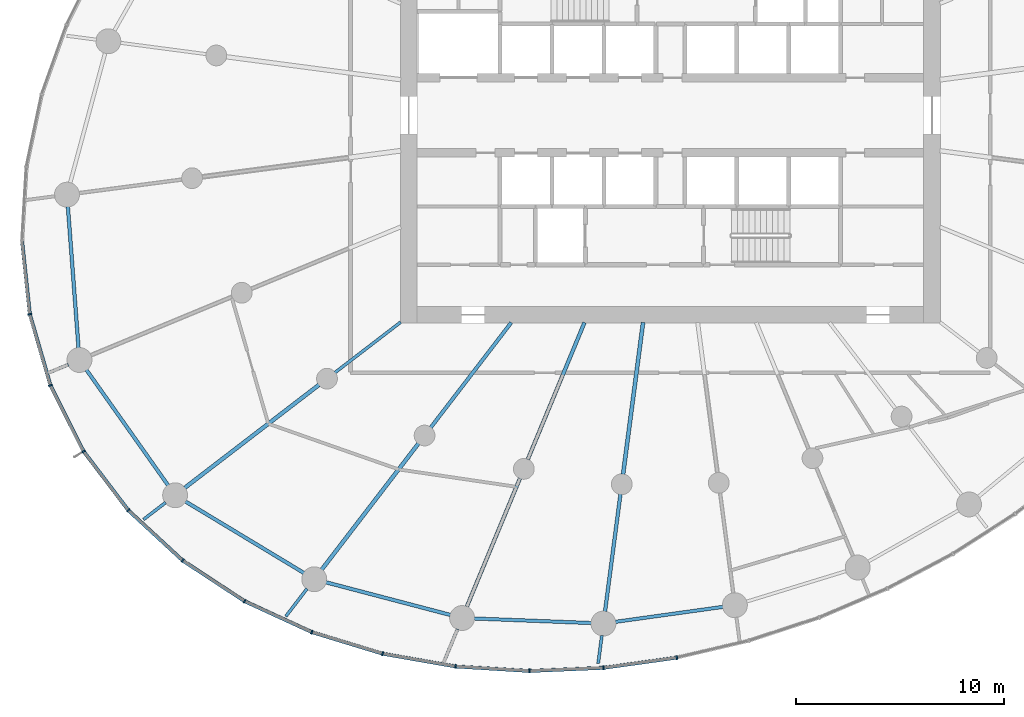
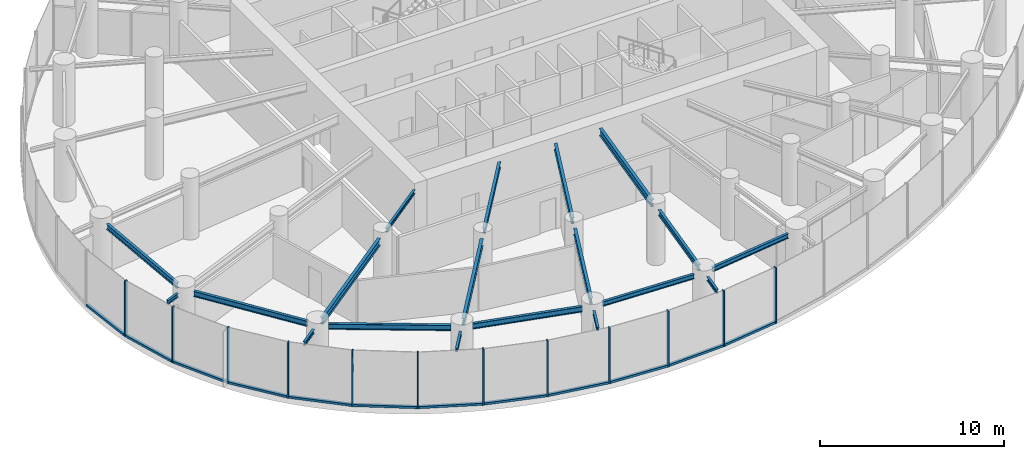
# One storey, part 2 of 17: 24 members, 19 beams, 3 elements without a shape of their own.
"""IFC4 building model written with IfcOpenShell, lengths in metres."""

from ifc_helpers import new_model, si_unit, direction, frame, origin, origin_2d, place, context, subcontext, project, spatial, rectangle, i_section, extrude, source, transform, mapped, material, layer, layer_set, material_profile, profile_set, type_object, element, aggregate, save


model = new_model("IFC4")

# Units and contexts
model_context = context("Model", 3, precision=1e-05, world=origin(), true_north=direction((0.0, 1.0)))
body_context = subcontext(model_context, "Body", "Model", "MODEL_VIEW")
ifc_project = project(units=[si_unit("LENGTHUNIT", "METRE"), si_unit("AREAUNIT", "SQUARE_METRE"), si_unit("VOLUMEUNIT", "CUBIC_METRE"), si_unit("PLANEANGLEUNIT", "RADIAN"), si_unit("MASSUNIT", "GRAM", prefix="KILO")], contexts=[model_context])

# Site, building, storey
site_placement = place(None, origin())
site = spatial("IfcSite", under=ifc_project, at=site_placement, CompositionType="ELEMENT")
building_placement = place(site_placement, origin())
building = spatial("IfcBuilding", under=site, at=building_placement, Name="Spindrift Exchange Tower", CompositionType="ELEMENT")
storey_placement = place(building_placement, frame((0.0, 0.0, 100.300048828125)))
storey = spatial("IfcBuildingStorey", under=building, at=storey_placement, Name="L23", CompositionType="ELEMENT", Elevation=100.300048828125)

# Beams
ifc_material_1 = material(Name="Steel Grade 300", Category="steel")
ifc_material_profile_1 = material_profile(ifc_material_1, i_section(OverallWidth=0.14599609375, OverallDepth=0.251953125, WebThickness=0.006103515625, FlangeThickness=0.008544921875, FilletRadius=0.011962890625, at=origin_2d()), Name="250UB31.4")
ifc_profile_set_1 = profile_set([ifc_material_profile_1], Name="Steel Grade 300")
beam_type_1 = type_object("IfcBeamType", Name="Floor Beam 250UB31.4 Steel Grade 300", PredefinedType="BEAM", material=ifc_profile_set_1)
shared_shape_1 = source(origin(), body_context, "Body", "SweptSolid", [
    extrude(i_section(OverallWidth=0.14599609375, OverallDepth=0.251953125, WebThickness=0.006103515625, FlangeThickness=0.008544921875, FilletRadius=0.011962890625, at=origin_2d()), origin(), (0.0, 0.0, 1.0), 3.99560546875),
])
beam_1_placement = place(storey_placement, frame((39.015869140625, 38.036865234375, 3.573974609375), z_axis=(-0.793352561574, -0.608762443851, 0.0), x_axis=(0.608762443851, -0.793352561574, 0.0)))
element("IfcBeam", 1, at=beam_1_placement, inside=storey, type_object=beam_type_1, Name="L23 radial beam R15A", PredefinedType="BEAM", context=body_context, shape_type="MappedRepresentation", body=[
    mapped(shared_shape_1, transform((0.0, 0.0, 0.0), scale=1.0)),
])
ifc_material_profile_2 = material_profile(ifc_material_1, i_section(OverallWidth=0.172119140625, OverallDepth=0.35888671875, WebThickness=0.008056640625, FlangeThickness=0.012939453125, FilletRadius=0.013916015625, at=origin_2d()), Name="360UB56.7")
ifc_profile_set_2 = profile_set([ifc_material_profile_2], Name="Steel Grade 300")
beam_type_2 = type_object("IfcBeamType", Name="Floor Beam 360UB56.7 Steel Grade 300", PredefinedType="BEAM", material=ifc_profile_set_2)
shared_shape_2 = source(origin(), body_context, "Body", "SweptSolid", [
    extrude(i_section(OverallWidth=0.172119140625, OverallDepth=0.35888671875, WebThickness=0.008056640625, FlangeThickness=0.012939453125, FilletRadius=0.013916015625, at=origin_2d()), origin(), (0.0, 0.0, 1.0), 6.37646484375),
])
beam_2_placement = place(storey_placement, frame((44.3388671875, 38.015869140625, 3.5205078125), z_axis=(-0.608766669952, -0.793349318747, 0.0), x_axis=(0.793349318747, -0.608766669952, 0.0)))
element("IfcBeam", 2, at=beam_2_placement, inside=storey, type_object=beam_type_2, Name="L23 radial beam R16A", PredefinedType="BEAM", context=body_context, shape_type="MappedRepresentation", body=[
    mapped(shared_shape_2, transform((0.0, 0.0, 0.0), scale=1.0)),
])
ifc_material_profile_3 = material_profile(ifc_material_1, i_section(OverallWidth=0.177978515625, OverallDepth=0.406005859375, WebThickness=0.0078125, FlangeThickness=0.0126953125, FilletRadius=0.013916015625, at=origin_2d()), Name="410UB59.7")
ifc_profile_set_3 = profile_set([ifc_material_profile_3], Name="Steel Grade 300")
beam_type_3 = type_object("IfcBeamType", Name="Floor Beam 410UB59.7 Steel Grade 300", PredefinedType="BEAM", material=ifc_profile_set_3)
shared_shape_3 = source(origin(), body_context, "Body", "SweptSolid", [
    extrude(i_section(OverallWidth=0.177978515625, OverallDepth=0.406005859375, WebThickness=0.0078125, FlangeThickness=0.0126953125, FilletRadius=0.013916015625, at=origin_2d()), origin(), (0.0, 0.0, 1.0), 7.150634765625),
])
beam_3_placement = place(storey_placement, frame((47.865478515625, 38.0185546875, 3.4970703125), z_axis=(-0.382665393358, -0.923887004306, 0.0), x_axis=(0.923887004306, -0.382665393358, 0.0)))
element("IfcBeam", 3, at=beam_3_placement, inside=storey, type_object=beam_type_3, Name="L23 radial beam R17A", PredefinedType="BEAM", context=body_context, shape_type="MappedRepresentation", body=[
    mapped(shared_shape_3, transform((0.0, 0.0, 0.0), scale=1.0)),
])
ifc_material_profile_4 = material_profile(ifc_material_1, i_section(OverallWidth=0.18994140625, OverallDepth=0.45703125, WebThickness=0.009033203125, FlangeThickness=0.014404296875, FilletRadius=0.013916015625, at=origin_2d()), Name="460UB74.6")
ifc_profile_set_4 = profile_set([ifc_material_profile_4], Name="Steel Grade 300")
beam_type_4 = type_object("IfcBeamType", Name="Floor Beam 460UB74.6 Steel Grade 300", PredefinedType="BEAM", material=ifc_profile_set_4)
shared_shape_4 = source(origin(), body_context, "Body", "SweptSolid", [
    extrude(i_section(OverallWidth=0.18994140625, OverallDepth=0.45703125, WebThickness=0.009033203125, FlangeThickness=0.014404296875, FilletRadius=0.013916015625, at=origin_2d()), origin(), (0.0, 0.0, 1.0), 7.374267578125),
])
beam_4_placement = place(storey_placement, frame((50.68603515625, 38.019775390625, 3.471435546875), z_axis=(-0.130539295622, -0.99144313619, 0.0), x_axis=(0.99144313619, -0.130539295622, 0.0)))
element("IfcBeam", 4, at=beam_4_placement, inside=storey, type_object=beam_type_4, Name="L23 radial beam R18A", PredefinedType="BEAM", context=body_context, shape_type="MappedRepresentation", body=[
    mapped(shared_shape_4, transform((0.0, 0.0, 0.0), scale=1.0)),
])
shared_shape_5 = source(origin(), body_context, "Body", "SweptSolid", [
    extrude(i_section(OverallWidth=0.18994140625, OverallDepth=0.45703125, WebThickness=0.009033203125, FlangeThickness=0.014404296875, FilletRadius=0.013916015625, at=origin_2d()), origin(), (0.0, 0.0, 1.0), 8.158447265625),
])
beam_5_placement = place(storey_placement, frame((35.08447265625, 35.020263671875, 3.471435546875), z_axis=(-0.793358732539, -0.608754401631, 0.0), x_axis=(0.608754401631, -0.793358732539, 0.0)))
element("IfcBeam", 5, at=beam_5_placement, inside=storey, type_object=beam_type_4, Name="L23 radial beam R15B", PredefinedType="BEAM", context=body_context, shape_type="MappedRepresentation", body=[
    mapped(shared_shape_5, transform((0.0, 0.0, 0.0), scale=1.0)),
])
shared_shape_6 = source(origin(), body_context, "Body", "SweptSolid", [
    extrude(i_section(OverallWidth=0.18994140625, OverallDepth=0.45703125, WebThickness=0.009033203125, FlangeThickness=0.014404296875, FilletRadius=0.013916015625, at=origin_2d()), origin(), (0.0, 0.0, 1.0), 7.663818359375),
])
beam_6_placement = place(storey_placement, frame((39.872802734375, 32.1953125, 3.471435546875), z_axis=(-0.608771227503, -0.793345821546, 0.0), x_axis=(0.793345821546, -0.608771227503, 0.0)))
element("IfcBeam", 6, at=beam_6_placement, inside=storey, type_object=beam_type_4, Name="L23 radial beam R16B", PredefinedType="BEAM", context=body_context, shape_type="MappedRepresentation", body=[
    mapped(shared_shape_6, transform((0.0, 0.0, 0.0), scale=1.0)),
])
shared_shape_7 = source(origin(), body_context, "Body", "SweptSolid", [
    extrude(i_section(OverallWidth=0.177978515625, OverallDepth=0.406005859375, WebThickness=0.0078125, FlangeThickness=0.0126953125, FilletRadius=0.013916015625, at=origin_2d()), origin(), (0.0, 0.0, 1.0), 6.71240234375),
])
beam_7_placement = place(storey_placement, frame((44.76171875, 30.525146484375, 3.4970703125), z_axis=(-0.382669812754, -0.923885173821, 0.0), x_axis=(0.923885173821, -0.382669812754, 0.0)))
element("IfcBeam", 7, at=beam_7_placement, inside=storey, type_object=beam_type_3, Name="L23 radial beam R17B", PredefinedType="BEAM", context=body_context, shape_type="MappedRepresentation", body=[
    mapped(shared_shape_7, transform((0.0, 0.0, 0.0), scale=1.0)),
])
shared_shape_8 = source(origin(), body_context, "Body", "SweptSolid", [
    extrude(i_section(OverallWidth=0.172119140625, OverallDepth=0.35888671875, WebThickness=0.008056640625, FlangeThickness=0.012939453125, FilletRadius=0.013916015625, at=origin_2d()), origin(), (0.0, 0.0, 1.0), 5.70751953125),
])
beam_8_placement = place(storey_placement, frame((49.59814453125, 29.7568359375, 3.5205078125), z_axis=(-0.130507624881, -0.991447305634, 0.0), x_axis=(0.991447305634, -0.130507624881, 0.0)))
element("IfcBeam", 8, at=beam_8_placement, inside=storey, type_object=beam_type_2, Name="L23 radial beam R18B", PredefinedType="BEAM", context=body_context, shape_type="MappedRepresentation", body=[
    mapped(shared_shape_8, transform((0.0, 0.0, 0.0), scale=1.0)),
])
ifc_material_profile_5 = material_profile(ifc_material_1, i_section(OverallWidth=0.172119140625, OverallDepth=0.35888671875, WebThickness=0.008056640625, FlangeThickness=0.012939453125, FilletRadius=0.013916015625, at=origin_2d()), Name="360UB56.7")
ifc_profile_set_5 = profile_set([ifc_material_profile_5], Name="Steel Grade 300")
beam_type_5 = type_object("IfcBeamType", Name="Edge Beam 360UB56.7 Steel Grade 300", PredefinedType="SPANDREL", material=ifc_profile_set_5)
shared_shape_9 = source(origin(), body_context, "Body", "SweptSolid", [
    extrude(i_section(OverallWidth=0.172119140625, OverallDepth=0.35888671875, WebThickness=0.008056640625, FlangeThickness=0.012939453125, FilletRadius=0.013916015625, at=origin_2d()), origin(), (0.0, 0.0, 1.0), 6.82373046875),
])
beam_9_placement = place(storey_placement, frame((22.9873046875, 43.59619140625, 3.5205078125), z_axis=(0.075276463877, -0.997162701863, 0.0), x_axis=(0.997162701863, 0.075276463877, 0.0)))
element("IfcBeam", 9, at=beam_9_placement, inside=storey, type_object=beam_type_5, Name="L23 edge beam E13", PredefinedType="SPANDREL", context=body_context, shape_type="MappedRepresentation", body=[
    mapped(shared_shape_9, transform((0.0, 0.0, 0.0), scale=1.0)),
])
shared_shape_10 = source(origin(), body_context, "Body", "SweptSolid", [
    extrude(i_section(OverallWidth=0.172119140625, OverallDepth=0.35888671875, WebThickness=0.008056640625, FlangeThickness=0.012939453125, FilletRadius=0.013916015625, at=origin_2d()), origin(), (0.0, 0.0, 1.0), 6.81787109375),
])
beam_10_placement = place(storey_placement, frame((23.87939453125, 35.739990234375, 3.5205078125), z_axis=(0.577526426198, -0.816371990604, 0.0), x_axis=(0.816371990604, 0.577526426198, 0.0)))
element("IfcBeam", 10, at=beam_10_placement, inside=storey, type_object=beam_type_5, Name="L23 edge beam E14", PredefinedType="SPANDREL", context=body_context, shape_type="MappedRepresentation", body=[
    mapped(shared_shape_10, transform((0.0, 0.0, 0.0), scale=1.0)),
])
shared_shape_11 = source(origin(), body_context, "Body", "SweptSolid", [
    extrude(i_section(OverallWidth=0.172119140625, OverallDepth=0.35888671875, WebThickness=0.008056640625, FlangeThickness=0.012939453125, FilletRadius=0.013916015625, at=origin_2d()), origin(), (0.0, 0.0, 1.0), 6.668701171875),
])
beam_11_placement = place(storey_placement, frame((28.6484375, 29.40087890625, 3.5205078125), z_axis=(0.856133207479, -0.516755194508, 0.0), x_axis=(0.516755194508, 0.856133207479, 0.0)))
element("IfcBeam", 11, at=beam_11_placement, inside=storey, type_object=beam_type_5, Name="L23 edge beam E15", PredefinedType="SPANDREL", context=body_context, shape_type="MappedRepresentation", body=[
    mapped(shared_shape_11, transform((0.0, 0.0, 0.0), scale=1.0)),
])
shared_shape_12 = source(origin(), body_context, "Body", "SweptSolid", [
    extrude(i_section(OverallWidth=0.172119140625, OverallDepth=0.35888671875, WebThickness=0.008056640625, FlangeThickness=0.012939453125, FilletRadius=0.013916015625, at=origin_2d()), origin(), (0.0, 0.0, 1.0), 6.197509765625),
])
beam_12_placement = place(storey_placement, frame((35.415283203125, 25.508056640625, 3.5205078125), z_axis=(0.967254420813, -0.253808757567, 0.0), x_axis=(0.253808757567, 0.967254420813, 0.0)))
element("IfcBeam", 12, at=beam_12_placement, inside=storey, type_object=beam_type_5, Name="L23 edge beam E16", PredefinedType="SPANDREL", context=body_context, shape_type="MappedRepresentation", body=[
    mapped(shared_shape_12, transform((0.0, 0.0, 0.0), scale=1.0)),
])
ifc_material_profile_6 = material_profile(ifc_material_1, i_section(OverallWidth=0.1650390625, OverallDepth=0.303955078125, WebThickness=0.006103515625, FlangeThickness=0.01025390625, FilletRadius=0.011474609375, at=origin_2d()), Name="310UB40.4")
ifc_profile_set_6 = profile_set([ifc_material_profile_6], Name="Steel Grade 300")
beam_type_6 = type_object("IfcBeamType", Name="Edge Beam 310UB40.4 Steel Grade 300", PredefinedType="SPANDREL", material=ifc_profile_set_6)
shared_shape_13 = source(origin(), body_context, "Body", "SweptSolid", [
    extrude(i_section(OverallWidth=0.1650390625, OverallDepth=0.303955078125, WebThickness=0.006103515625, FlangeThickness=0.01025390625, FilletRadius=0.011474609375, at=origin_2d()), origin(), (0.0, 0.0, 1.0), 5.65185546875),
])
beam_13_placement = place(storey_placement, frame((42.550537109375, 23.765380859375, 3.5478515625), z_axis=(0.99924397539, -0.038877726865, 0.0), x_axis=(0.038877726865, 0.99924397539, 0.0)))
element("IfcBeam", 13, at=beam_13_placement, inside=storey, type_object=beam_type_6, Name="L23 edge beam E17", PredefinedType="SPANDREL", context=body_context, shape_type="MappedRepresentation", body=[
    mapped(shared_shape_13, transform((0.0, 0.0, 0.0), scale=1.0)),
])
shared_shape_14 = source(origin(), body_context, "Body", "SweptSolid", [
    extrude(i_section(OverallWidth=0.1650390625, OverallDepth=0.303955078125, WebThickness=0.006103515625, FlangeThickness=0.01025390625, FilletRadius=0.011474609375, at=origin_2d()), origin(), (0.0, 0.0, 1.0), 5.22998046875),
])
beam_14_placement = place(storey_placement, frame((49.35205078125, 23.603271484375, 3.5478515625), z_axis=(0.990440078597, 0.137943650481, 0.0), x_axis=(-0.137943650481, 0.990440078597, 0.0)))
element("IfcBeam", 14, at=beam_14_placement, inside=storey, type_object=beam_type_6, Name="L23 edge beam E18", PredefinedType="SPANDREL", context=body_context, shape_type="MappedRepresentation", body=[
    mapped(shared_shape_14, transform((0.0, 0.0, 0.0), scale=1.0)),
])
ifc_material_profile_7 = material_profile(ifc_material_1, i_section(OverallWidth=0.14599609375, OverallDepth=0.251953125, WebThickness=0.006103515625, FlangeThickness=0.008544921875, FilletRadius=0.011962890625, at=origin_2d()), Name="250UB31.4")
ifc_profile_set_7 = profile_set([ifc_material_profile_7], Name="Steel Grade 300")
beam_type_7 = type_object("IfcBeamType", Name="Cantilever Beam 250UB31.4 Steel Grade 300", PredefinedType="BEAM", material=ifc_profile_set_7)
shared_shape_15 = source(origin(), body_context, "Body", "SweptSolid", [
    extrude(i_section(OverallWidth=0.14599609375, OverallDepth=0.251953125, WebThickness=0.006103515625, FlangeThickness=0.008544921875, FilletRadius=0.011962890625, at=origin_2d()), origin(), (0.0, 0.0, 1.0), 0.9267578125),
])
beam_15_placement = place(storey_placement, frame((23.0087890625, 35.991455078125, 3.573974609375), z_axis=(-0.923846648553, -0.382762811619, 0.0), x_axis=(0.382762811619, -0.923846648553, 0.0)))
element("IfcBeam", 15, at=beam_15_placement, inside=storey, type_object=beam_type_7, Name="L23 cantilever beam R14T", PredefinedType="BEAM", context=body_context, shape_type="MappedRepresentation", body=[
    mapped(shared_shape_15, transform((0.0, 0.0, 0.0), scale=1.0)),
])
shared_shape_16 = source(origin(), body_context, "Body", "SweptSolid", [
    extrude(i_section(OverallWidth=0.14599609375, OverallDepth=0.251953125, WebThickness=0.006103515625, FlangeThickness=0.008544921875, FilletRadius=0.011962890625, at=origin_2d()), origin(), (0.0, 0.0, 1.0), 1.33740234375),
])
beam_16_placement = place(storey_placement, frame((27.691650390625, 29.347412109375, 3.573974609375), z_axis=(-0.793424144756, -0.608669143722, 0.0), x_axis=(0.608669143722, -0.793424144756, 0.0)))
element("IfcBeam", 16, at=beam_16_placement, inside=storey, type_object=beam_type_7, Name="L23 cantilever beam R15T", PredefinedType="BEAM", context=body_context, shape_type="MappedRepresentation", body=[
    mapped(shared_shape_16, transform((0.0, 0.0, 0.0), scale=1.0)),
])
shared_shape_17 = source(origin(), body_context, "Body", "SweptSolid", [
    extrude(i_section(OverallWidth=0.14599609375, OverallDepth=0.251953125, WebThickness=0.006103515625, FlangeThickness=0.008544921875, FilletRadius=0.011962890625, at=origin_2d()), origin(), (0.0, 0.0, 1.0), 1.67724609375),
])
beam_17_placement = place(storey_placement, frame((34.501220703125, 25.195068359375, 3.573974609375), z_axis=(-0.608767651561, -0.79334856552, 0.0), x_axis=(0.79334856552, -0.608767651561, 0.0)))
element("IfcBeam", 17, at=beam_17_placement, inside=storey, type_object=beam_type_7, Name="L23 cantilever beam R16T", PredefinedType="BEAM", context=body_context, shape_type="MappedRepresentation", body=[
    mapped(shared_shape_17, transform((0.0, 0.0, 0.0), scale=1.0)),
])
shared_shape_18 = source(origin(), body_context, "Body", "SweptSolid", [
    extrude(i_section(OverallWidth=0.14599609375, OverallDepth=0.251953125, WebThickness=0.006103515625, FlangeThickness=0.008544921875, FilletRadius=0.011962890625, at=origin_2d()), origin(), (0.0, 0.0, 1.0), 1.62890625),
])
beam_18_placement = place(storey_placement, frame((41.7490234375, 23.251953125, 3.573974609375), z_axis=(-0.382656259044, -0.923890787601, 0.0), x_axis=(0.923890787601, -0.382656259044, 0.0)))
element("IfcBeam", 18, at=beam_18_placement, inside=storey, type_object=beam_type_7, Name="L23 cantilever beam R17T", PredefinedType="BEAM", context=body_context, shape_type="MappedRepresentation", body=[
    mapped(shared_shape_18, transform((0.0, 0.0, 0.0), scale=1.0)),
])
shared_shape_19 = source(origin(), body_context, "Body", "SweptSolid", [
    extrude(i_section(OverallWidth=0.14599609375, OverallDepth=0.251953125, WebThickness=0.006103515625, FlangeThickness=0.008544921875, FilletRadius=0.011962890625, at=origin_2d()), origin(), (0.0, 0.0, 1.0), 1.366943359375),
])
beam_19_placement = place(storey_placement, frame((48.701904296875, 22.9482421875, 3.573974609375), z_axis=(-0.130560775534, -0.991440307781, 0.0), x_axis=(0.991440307781, -0.130560775534, 0.0)))
element("IfcBeam", 19, at=beam_19_placement, inside=storey, type_object=beam_type_7, Name="L23 cantilever beam R18T", PredefinedType="BEAM", context=body_context, shape_type="MappedRepresentation", body=[
    mapped(shared_shape_19, transform((0.0, 0.0, 0.0), scale=1.0)),
])

# Curtain wall, members
ifc_material_2 = material(Name="Fritted laminated glass with bronze frame", Category="glass")
ifc_layer = layer(ifc_material_2, 0.18994140625)
ifc_layer_set = layer_set([ifc_layer], Name="ZONE 2 BRONZE FRITTED WALL")
curtain_wall_type = type_object("IfcCurtainWallType", Name="ZONE 2 BRONZE FRITTED WALL", PredefinedType="NOTDEFINED", material=ifc_layer_set)
curtain_wall_1_placement = place(storey_placement, origin())
curtain_wall_1 = element("IfcCurtainWall", 20, at=curtain_wall_1_placement, inside=storey, type_object=curtain_wall_type, Name="L23 Zone 2 Bronze Fritted Wall run 5", PredefinedType="NOTDEFINED")
ifc_material_3 = material(Name="Bronze anodised aluminium", Category="aluminium")
ifc_material_profile_8 = material_profile(ifc_material_3, rectangle(XDim=0.074951171875, YDim=0.18994140625, at=origin_2d()), Name="ZONE 2 BRONZE FRITTED WALL MULLION 75X190")
ifc_profile_set_8 = profile_set([ifc_material_profile_8], Name="Bronze anodised aluminium")
member_type_1 = type_object("IfcMemberType", Name="ZONE 2 BRONZE FRITTED WALL MULLION 75X190", PredefinedType="MULLION", material=ifc_profile_set_8)
shared_shape_20 = source(origin(), body_context, "Body", "SweptSolid", [
    extrude(rectangle(XDim=0.074951171875, YDim=0.18994140625, at=origin_2d()), origin(), (0.0, 0.0, 1.0), 3.699951171875),
])
member_1_placement = place(storey_placement, frame((21.15380859375, 38.416259765625, 0.0), z_axis=(0.0, 0.0, 1.0), x_axis=(0.192793040194, -0.981239442569, 0.0)))
member_1 = element("IfcMember", 21, at=member_1_placement, type_object=member_type_1, Name="L23 mullion CW-2.25", PredefinedType="MULLION", context=body_context, shape_type="MappedRepresentation", body=[
    mapped(shared_shape_20, transform((0.0, 0.0, 0.0), scale=1.0)),
])
member_2_placement = place(storey_placement, frame((22.14599609375, 34.994384765625, 0.0), z_axis=(0.0, 0.0, 1.0), x_axis=(0.365229168887, -0.93091764093, 0.0)))
member_2 = element("IfcMember", 22, at=member_2_placement, type_object=member_type_1, Name="L23 mullion CW-2.26", PredefinedType="MULLION", context=body_context, shape_type="MappedRepresentation", body=[
    mapped(shared_shape_20, transform((0.0, 0.0, 0.0), scale=1.0)),
])
member_3_placement = place(storey_placement, frame((23.745361328125, 31.810791015625, 0.0), z_axis=(0.0, 0.0, 1.0), x_axis=(0.528877031917, -0.848698465364, 0.0)))
member_3 = element("IfcMember", 23, at=member_3_placement, type_object=member_type_1, Name="L23 mullion CW-2.27", PredefinedType="MULLION", context=body_context, shape_type="MappedRepresentation", body=[
    mapped(shared_shape_20, transform((0.0, 0.0, 0.0), scale=1.0)),
])
member_4_placement = place(storey_placement, frame((25.898681640625, 28.972412109375, 0.0), z_axis=(0.0, 0.0, 1.0), x_axis=(0.672180147528, -0.740387634465, 0.0)))
member_4 = element("IfcMember", 24, at=member_4_placement, type_object=member_type_1, Name="L23 mullion CW-2.28", PredefinedType="MULLION", context=body_context, shape_type="MappedRepresentation", body=[
    mapped(shared_shape_20, transform((0.0, 0.0, 0.0), scale=1.0)),
])
member_5_placement = place(storey_placement, frame((28.51708984375, 26.55517578125, 0.0), z_axis=(0.0, 0.0, 1.0), x_axis=(0.787941192221, -0.615750499474, 0.0)))
member_5 = element("IfcMember", 25, at=member_5_placement, type_object=member_type_1, Name="L23 mullion CW-2.29", PredefinedType="MULLION", context=body_context, shape_type="MappedRepresentation", body=[
    mapped(shared_shape_20, transform((0.0, 0.0, 0.0), scale=1.0)),
])
member_6_placement = place(storey_placement, frame((31.495849609375, 24.598388671875, 0.0), z_axis=(0.0, 0.0, 1.0), x_axis=(0.8745766434, -0.484887301154, 0.0)))
member_6 = element("IfcMember", 26, at=member_6_placement, type_object=member_type_1, Name="L23 mullion CW-2.30", PredefinedType="MULLION", context=body_context, shape_type="MappedRepresentation", body=[
    mapped(shared_shape_20, transform((0.0, 0.0, 0.0), scale=1.0)),
])

curtain_wall_2_placement = place(storey_placement, origin())
curtain_wall_2 = element("IfcCurtainWall", 27, at=curtain_wall_2_placement, inside=storey, type_object=curtain_wall_type, Name="L23 Zone 2 Bronze Fritted Wall run 6", PredefinedType="NOTDEFINED")
member_7_placement = place(storey_placement, frame((34.734130859375, 23.1083984375, 0.0), z_axis=(0.0, 0.0, 1.0), x_axis=(0.934675612317, -0.355501757718, 0.0)))
member_7 = element("IfcMember", 28, at=member_7_placement, type_object=member_type_1, Name="L23 mullion CW-2.31", PredefinedType="MULLION", context=body_context, shape_type="MappedRepresentation", body=[
    mapped(shared_shape_20, transform((0.0, 0.0, 0.0), scale=1.0)),
])
member_8_placement = place(storey_placement, frame((38.144775390625, 22.069580078125, 0.0), z_axis=(0.0, 0.0, 1.0), x_axis=(0.972693777691, -0.232092255023, 0.0)))
member_8 = element("IfcMember", 29, at=member_8_placement, type_object=member_type_1, Name="L23 mullion CW-2.32", PredefinedType="MULLION", context=body_context, shape_type="MappedRepresentation", body=[
    mapped(shared_shape_20, transform((0.0, 0.0, 0.0), scale=1.0)),
])
member_9_placement = place(storey_placement, frame((41.657470703125, 21.456298828125, 0.0), z_axis=(0.0, 0.0, 1.0), x_axis=(0.993178012465, -0.116608042416, 0.0)))
member_9 = element("IfcMember", 30, at=member_9_placement, type_object=member_type_1, Name="L23 mullion CW-2.33", PredefinedType="MULLION", context=body_context, shape_type="MappedRepresentation", body=[
    mapped(shared_shape_20, transform((0.0, 0.0, 0.0), scale=1.0)),
])
member_10_placement = place(storey_placement, frame((45.216796875, 21.2392578125, 0.0), z_axis=(0.0, 0.0, 1.0), x_axis=(0.999956267793, -0.009352138889, 0.0)))
member_10 = element("IfcMember", 31, at=member_10_placement, type_object=member_type_1, Name="L23 mullion CW-2.34", PredefinedType="MULLION", context=body_context, shape_type="MappedRepresentation", body=[
    mapped(shared_shape_20, transform((0.0, 0.0, 0.0), scale=1.0)),
])
member_11_placement = place(storey_placement, frame((48.77978515625, 21.389892578125, 0.0), z_axis=(0.0, 0.0, 1.0), x_axis=(0.995922812922, 0.090209482328, 0.0)))
member_11 = element("IfcMember", 32, at=member_11_placement, type_object=member_type_1, Name="L23 mullion CW-2.35", PredefinedType="MULLION", context=body_context, shape_type="MappedRepresentation", body=[
    mapped(shared_shape_20, transform((0.0, 0.0, 0.0), scale=1.0)),
])
member_12_placement = place(storey_placement, frame((52.312255859375, 21.882080078125, 0.0), z_axis=(0.0, 0.0, 1.0), x_axis=(0.983120387525, 0.182959841585, 0.0)))
member_12 = element("IfcMember", 33, at=member_12_placement, type_object=member_type_1, Name="L23 mullion CW-2.36", PredefinedType="MULLION", context=body_context, shape_type="MappedRepresentation", body=[
    mapped(shared_shape_20, transform((0.0, 0.0, 0.0), scale=1.0)),
])

# Member
ifc_material_profile_9 = material_profile(ifc_material_3, rectangle(XDim=0.169921875, YDim=0.139892578125, at=origin_2d()), Name="ZONE 2 BRONZE FRITTED WALL TRANSOM 170X140")
ifc_profile_set_9 = profile_set([ifc_material_profile_9], Name="Bronze anodised aluminium")
member_type_2 = type_object("IfcMemberType", Name="ZONE 2 BRONZE FRITTED WALL TRANSOM 170X140", PredefinedType="USERDEFINED", material=ifc_profile_set_9)
shared_shape_21 = source(origin(), body_context, "Body", "SweptSolid", [
    extrude(rectangle(XDim=0.169921875, YDim=0.139892578125, at=origin_2d()), origin(), (0.0, 0.0, 1.0), 3.489013671875),
])
member_13_placement = place(storey_placement, frame((28.54833984375, 26.53466796875, 0.070068359375), z_axis=(0.835799062102, -0.549035452215, 0.0), x_axis=(0.549035452215, 0.835799062102, 0.0)))
member_13 = element("IfcMember", 34, at=member_13_placement, type_object=member_type_2, Name="L23 transom CW-2.29", ObjectType="TRANSOM", PredefinedType="USERDEFINED", context=body_context, shape_type="MappedRepresentation", body=[
    mapped(shared_shape_21, transform((0.0, 0.0, 0.0), scale=1.0)),
])

shared_shape_22 = source(origin(), body_context, "Body", "SweptSolid", [
    extrude(rectangle(XDim=0.169921875, YDim=0.139892578125, at=origin_2d()), origin(), (0.0, 0.0, 1.0), 3.487548828125),
])
member_14_placement = place(storey_placement, frame((22.162841796875, 34.9609375, 0.070068359375), z_axis=(0.448920821232, -0.893571539533, 0.0), x_axis=(0.893571539533, 0.448920821232, 0.0)))
member_14 = element("IfcMember", 35, at=member_14_placement, type_object=member_type_2, Name="L23 transom CW-2.26", ObjectType="TRANSOM", PredefinedType="USERDEFINED", context=body_context, shape_type="MappedRepresentation", body=[
    mapped(shared_shape_22, transform((0.0, 0.0, 0.0), scale=1.0)),
])

shared_shape_23 = source(origin(), body_context, "Body", "SweptSolid", [
    extrude(rectangle(XDim=0.169921875, YDim=0.139892578125, at=origin_2d()), origin(), (0.0, 0.0, 1.0), 3.48779296875),
])
member_15_placement = place(storey_placement, frame((21.164306640625, 38.38037109375, 0.070068359375), z_axis=(0.278454070036, -0.960449546244, 0.0), x_axis=(0.960449546244, 0.278454070036, 0.0)))
member_15 = element("IfcMember", 36, at=member_15_placement, type_object=member_type_2, Name="L23 transom CW-2.25", ObjectType="TRANSOM", PredefinedType="USERDEFINED", context=body_context, shape_type="MappedRepresentation", body=[
    mapped(shared_shape_23, transform((0.0, 0.0, 0.0), scale=1.0)),
])

member_16_placement = place(storey_placement, frame((23.76806640625, 31.781005859375, 0.070068359375), z_axis=(0.604358904616, -0.79671219045, 0.0), x_axis=(0.79671219045, 0.604358904616, 0.0)))
member_16 = element("IfcMember", 37, at=member_16_placement, type_object=member_type_2, Name="L23 transom CW-2.27", ObjectType="TRANSOM", PredefinedType="USERDEFINED", context=body_context, shape_type="MappedRepresentation", body=[
    mapped(shared_shape_23, transform((0.0, 0.0, 0.0), scale=1.0)),
])

shared_shape_24 = source(origin(), body_context, "Body", "SweptSolid", [
    extrude(rectangle(XDim=0.169921875, YDim=0.139892578125, at=origin_2d()), origin(), (0.0, 0.0, 1.0), 3.49072265625),
])
member_17_placement = place(storey_placement, frame((38.181640625, 22.063232421875, 0.070068359375), z_axis=(0.985100156482, -0.171981631863, 0.0), x_axis=(0.171981631863, 0.985100156482, 0.0)))
member_17 = element("IfcMember", 38, at=member_17_placement, type_object=member_type_2, Name="L23 transom CW-2.32", ObjectType="TRANSOM", PredefinedType="USERDEFINED", context=body_context, shape_type="MappedRepresentation", body=[
    mapped(shared_shape_24, transform((0.0, 0.0, 0.0), scale=1.0)),
])

shared_shape_25 = source(origin(), body_context, "Body", "SweptSolid", [
    extrude(rectangle(XDim=0.169921875, YDim=0.139892578125, at=origin_2d()), origin(), (0.0, 0.0, 1.0), 3.491455078125),
])
member_18_placement = place(storey_placement, frame((45.254150390625, 21.240966796875, 0.070068359375), z_axis=(0.999110630826, 0.042165713213, 0.0), x_axis=(-0.042165713213, 0.999110630826, 0.0)))
member_18 = element("IfcMember", 39, at=member_18_placement, type_object=member_type_2, Name="L23 transom CW-2.34", ObjectType="TRANSOM", PredefinedType="USERDEFINED", context=body_context, shape_type="MappedRepresentation", body=[
    mapped(shared_shape_25, transform((0.0, 0.0, 0.0), scale=1.0)),
])

member_19_placement = place(storey_placement, frame((48.817138671875, 21.39501953125, 0.070068359375), z_axis=(0.990437142068, 0.137964733218, 0.0), x_axis=(-0.137964733218, 0.990437142068, 0.0)))
member_19 = element("IfcMember", 40, at=member_19_placement, type_object=member_type_2, Name="L23 transom CW-2.35", ObjectType="TRANSOM", PredefinedType="USERDEFINED", context=body_context, shape_type="MappedRepresentation", body=[
    mapped(shared_shape_25, transform((0.0, 0.0, 0.0), scale=1.0)),
])

shared_shape_26 = source(origin(), body_context, "Body", "SweptSolid", [
    extrude(rectangle(XDim=0.169921875, YDim=0.139892578125, at=origin_2d()), origin(), (0.0, 0.0, 1.0), 3.490966796875),
])
member_20_placement = place(storey_placement, frame((41.69482421875, 21.4541015625, 0.070068359375), z_axis=(0.998147450402, -0.060841328512, 0.0), x_axis=(0.060841328512, 0.998147450402, 0.0)))
member_20 = element("IfcMember", 41, at=member_20_placement, type_object=member_type_2, Name="L23 transom CW-2.33", ObjectType="TRANSOM", PredefinedType="USERDEFINED", context=body_context, shape_type="MappedRepresentation", body=[
    mapped(shared_shape_26, transform((0.0, 0.0, 0.0), scale=1.0)),
])

shared_shape_27 = source(origin(), body_context, "Body", "SweptSolid", [
    extrude(rectangle(XDim=0.169921875, YDim=0.139892578125, at=origin_2d()), origin(), (0.0, 0.0, 1.0), 3.490234375),
])
member_21_placement = place(storey_placement, frame((34.77001953125, 23.097412109375, 0.070068359375), z_axis=(0.956620495078, -0.291336967096, 0.0), x_axis=(0.291336967096, 0.956620495078, 0.0)))
member_21 = element("IfcMember", 42, at=member_21_placement, type_object=member_type_2, Name="L23 transom CW-2.31", ObjectType="TRANSOM", PredefinedType="USERDEFINED", context=body_context, shape_type="MappedRepresentation", body=[
    mapped(shared_shape_27, transform((0.0, 0.0, 0.0), scale=1.0)),
])

aggregate(curtain_wall_2, [member_7, member_21, member_8, member_17, member_9, member_20, member_10, member_18, member_11, member_19, member_12])

# Curtain wall, member
curtain_wall_3_placement = place(storey_placement, origin())
curtain_wall_3 = element("IfcCurtainWall", 43, at=curtain_wall_3_placement, inside=storey, type_object=curtain_wall_type, Name="L23 Zone 2 Bronze Fritted Wall run 4", PredefinedType="NOTDEFINED")
shared_shape_28 = source(origin(), body_context, "Body", "SweptSolid", [
    extrude(rectangle(XDim=0.169921875, YDim=0.139892578125, at=origin_2d()), origin(), (0.0, 0.0, 1.0), 3.488525390625),
])
member_22_placement = place(storey_placement, frame((20.781494140625, 41.922607421875, 0.070068359375), z_axis=(0.105606424213, -0.994408006386, 0.0), x_axis=(0.994408006386, 0.105606424213, 0.0)))
member_22 = element("IfcMember", 44, at=member_22_placement, type_object=member_type_2, Name="L23 transom CW-2.24", ObjectType="TRANSOM", PredefinedType="USERDEFINED", context=body_context, shape_type="MappedRepresentation", body=[
    mapped(shared_shape_28, transform((0.0, 0.0, 0.0), scale=1.0)),
])
aggregate(curtain_wall_3, [member_22])

# Member
member_23_placement = place(storey_placement, frame((25.92626953125, 28.947021484375, 0.070068359375), z_axis=(0.734747098291, -0.678341139511, 0.0), x_axis=(0.678341139511, 0.734747098291, 0.0)))
member_23 = element("IfcMember", 45, at=member_23_placement, type_object=member_type_2, Name="L23 transom CW-2.28", ObjectType="TRANSOM", PredefinedType="USERDEFINED", context=body_context, shape_type="MappedRepresentation", body=[
    mapped(shared_shape_28, transform((0.0, 0.0, 0.0), scale=1.0)),
])

shared_shape_29 = source(origin(), body_context, "Body", "SweptSolid", [
    extrude(rectangle(XDim=0.169921875, YDim=0.139892578125, at=origin_2d()), origin(), (0.0, 0.0, 1.0), 3.489990234375),
])
member_24_placement = place(storey_placement, frame((31.52978515625, 24.582763671875, 0.070068359375), z_axis=(0.908452202722, -0.41798875029, 0.0), x_axis=(0.41798875029, 0.908452202722, 0.0)))
member_24 = element("IfcMember", 46, at=member_24_placement, type_object=member_type_2, Name="L23 transom CW-2.30", ObjectType="TRANSOM", PredefinedType="USERDEFINED", context=body_context, shape_type="MappedRepresentation", body=[
    mapped(shared_shape_29, transform((0.0, 0.0, 0.0), scale=1.0)),
])

aggregate(curtain_wall_1, [member_1, member_15, member_2, member_14, member_3, member_16, member_4, member_23, member_5, member_13, member_6, member_24])

save(model, "model.ifc")
